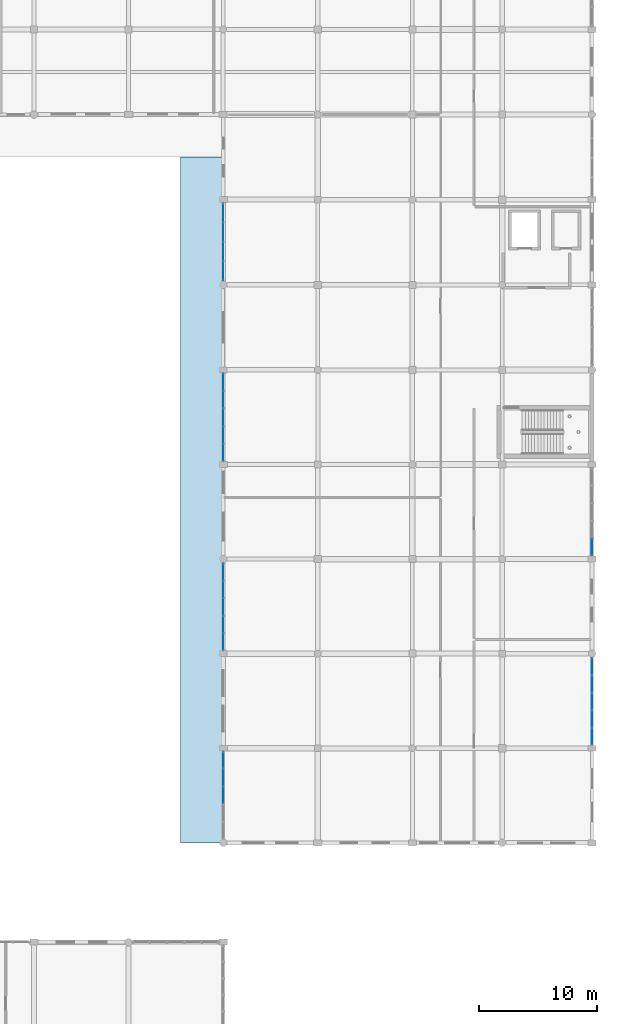
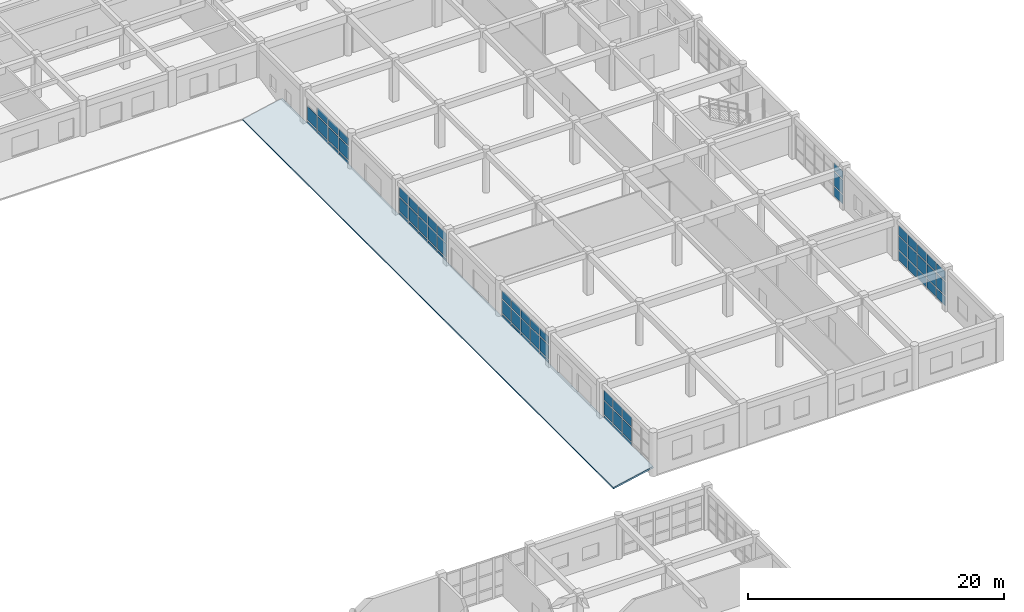
# One storey, part 98 of 121: 68 plates, 1 slab, 6 elements without a shape of their own.
"""IFC4 building model written with IfcOpenShell, lengths in metres."""

import ifcopenshell
import ifcopenshell.guid

model = None  # the IFC model being written
_history = None  # IfcOwnerHistory: only IFC2X3 demands one
_inside = {}  # id of a spatial element -> (the spatial element, [elements in it])
_under = {}  # id of a project, library or spatial element -> (it, [spatial elements below it])
_declared = {}  # id of a project -> (the project, [libraries it declares])
_typed = {}  # id of a type object -> (the type object, [elements of that type])
_made_of = {}  # id of a material, layer set ... -> (it, [elements and type objects made of it])


def new_model(schema):
    """Start an empty IFC model of exactly this schema.

    Asked for "IFC4X3", IfcOpenShell would pick the latest addendum, in which some entities
    have other attributes; the version numbers below select the first issue.
    IFC2X3 requires an IfcOwnerHistory on every rooted entity: one is made here for all.
    """
    global model, _history
    if schema == "IFC4X3":
        model = ifcopenshell.file(schema_version=(4, 3, 0, 0))
    else:
        model = ifcopenshell.file(schema=schema)
    _inside.clear()
    _under.clear()
    _declared.clear()
    _typed.clear()
    _made_of.clear()
    _history = None
    if model.schema == "IFC2X3":
        org = make("IfcOrganization", Name="unknown")
        user = make(
            "IfcPersonAndOrganization",
            ThePerson=make("IfcPerson", FamilyName="unknown"),
            TheOrganization=org,
        )
        app = make(
            "IfcApplication",
            ApplicationDeveloper=org,
            Version="unknown",
            ApplicationFullName="unknown",
            ApplicationIdentifier="unknown",
        )
        _history = make(
            "IfcOwnerHistory",
            OwningUser=user,
            OwningApplication=app,
            ChangeAction="ADDED",
            CreationDate=0,
        )
    return model


def make(cls, **values):
    """One entity of the class cls with the attributes given. An attribute that is None is left unset."""
    return model.create_entity(
        cls, **{name: value for name, value in values.items() if value is not None}
    )


def rooted(cls, **values):
    """An entity with a GlobalId (a new one), such as an element, a storey or a relation."""
    return make(cls, GlobalId=ifcopenshell.guid.new(), OwnerHistory=_history, **values)


def si_unit(unit_type, name, prefix=None):
    """IfcSIUnit, for example si_unit("LENGTHUNIT", "METRE", prefix="MILLI")."""
    return make("IfcSIUnit", UnitType=unit_type, Prefix=prefix, Name=name)


def assignment(units):
    """IfcUnitAssignment: the units of a project."""
    return None if units is None else make("IfcUnitAssignment", Units=units)


def point(xyz):
    """IfcCartesianPoint."""
    return None if xyz is None else make("IfcCartesianPoint", Coordinates=xyz)


def direction(xyz):
    """IfcDirection."""
    return None if xyz is None else make("IfcDirection", DirectionRatios=xyz)


def frame(location, z_axis=None, x_axis=None):
    """IfcAxis2Placement3D, a coordinate frame: its origin and axes. An axis left out is left unset."""
    return make(
        "IfcAxis2Placement3D",
        Location=point(location),
        Axis=direction(z_axis),
        RefDirection=direction(x_axis),
    )


def frame_2d(location, x_axis=None):
    """IfcAxis2Placement2D, a coordinate frame in the plane: its origin and x axis."""
    return make(
        "IfcAxis2Placement2D", Location=point(location), RefDirection=direction(x_axis)
    )


def origin():
    """The frame at (0, 0, 0) with its axes left unset."""
    return frame((0.0, 0.0, 0.0))


def origin_2d():
    """The frame at (0, 0) in the plane with its x axis left unset."""
    return frame_2d((0.0, 0.0))


def place(relative_to, where):
    """IfcLocalPlacement: puts the frame where relative to a parent placement (None: the world)."""
    return make(
        "IfcLocalPlacement", PlacementRelTo=relative_to, RelativePlacement=where
    )


def context(
    kind, dimensions, precision=None, world=None, true_north=None, identifier=None
):
    """IfcGeometricRepresentationContext, for example the 3D "Model" context."""
    return make(
        "IfcGeometricRepresentationContext",
        ContextIdentifier=identifier,
        ContextType=kind,
        CoordinateSpaceDimension=dimensions,
        Precision=precision,
        WorldCoordinateSystem=world,
        TrueNorth=true_north,
    )


def subcontext(parent, identifier, kind, view, scale=None):
    """IfcGeometricRepresentationSubContext, for example "Body" below "Model"."""
    return make(
        "IfcGeometricRepresentationSubContext",
        ContextIdentifier=identifier,
        ContextType=kind,
        ParentContext=parent,
        TargetScale=scale,
        TargetView=view,
    )


def project(units=None, contexts=None):
    """IfcProject with its units and contexts."""
    return rooted(
        "IfcProject",
        Name="project",
        RepresentationContexts=contexts,
        UnitsInContext=assignment(units),
    )


def spatial(cls, under=None, at=None, **own):
    """A site, building, storey or space (cls), placed at a placement, below another one or the project."""
    s = rooted(cls, ObjectPlacement=at, **own)
    if under is not None:
        _under.setdefault(under.id(), (under, []))[1].append(s)
    return s


def polyline(points):
    """IfcPolyline through the points."""
    return make("IfcPolyline", Points=[point(p) for p in points])


def profile(cls, at=None, kind="AREA", **sizes):
    """A parametric profile (cls). Its sizes go by their IFC names, for example OverallWidth=200.0."""
    return make(cls, ProfileType=kind, Position=at, **sizes)


def rectangle(**sizes):
    """IfcRectangleProfileDef."""
    return profile("IfcRectangleProfileDef", **sizes)


def outline(outer, holes=None, kind="AREA"):
    """IfcArbitraryClosedProfileDef: a profile drawn as a closed curve; with holes, ...WithVoids."""
    if holes is None:
        return make("IfcArbitraryClosedProfileDef", ProfileType=kind, OuterCurve=outer)
    return make(
        "IfcArbitraryProfileDefWithVoids",
        ProfileType=kind,
        OuterCurve=outer,
        InnerCurves=holes,
    )


def extrude(swept, where, along, depth):
    """IfcExtrudedAreaSolid: the profile swept, set in the frame where, extruded along a direction by depth."""
    return make(
        "IfcExtrudedAreaSolid",
        SweptArea=swept,
        Position=where,
        ExtrudedDirection=direction(along),
        Depth=depth,
    )


def shape(context_of_items, identifier, shape_type, items):
    """IfcShapeRepresentation: the items that make up one representation, for example the "Body"."""
    return make(
        "IfcShapeRepresentation",
        ContextOfItems=context_of_items,
        RepresentationIdentifier=identifier,
        RepresentationType=shape_type,
        Items=items,
    )


def material(Name=None, Category=None):
    """IfcMaterial."""
    return make("IfcMaterial", Name=Name, Category=Category)


def layer(
    of_material, thickness, ventilated=None, Name=None, Category=None, Priority=None
):
    """IfcMaterialLayer: one layer of a wall or slab, of a material (None: an air gap)."""
    return make(
        "IfcMaterialLayer",
        Material=of_material,
        LayerThickness=thickness,
        IsVentilated=ventilated,
        Name=Name,
        Category=Category,
        Priority=Priority,
    )


def layer_set(layers, Name=None):
    """IfcMaterialLayerSet."""
    return make("IfcMaterialLayerSet", MaterialLayers=layers, LayerSetName=Name)


def made_of(thing, what):
    """Note that an element or type object is made of a material, layer set ...; save() writes the relation."""
    if what is not None:
        _made_of.setdefault(what.id(), (what, []))[1].append(thing)
    return thing


def type_object(cls, material=None, **own):
    """A type object (cls), such as IfcWallType, which elements share."""
    return made_of(rooted(cls, **own), material)


def element(
    cls,
    number,
    at=None,
    inside=None,
    cuts=None,
    type_object=None,
    material=None,
    context=None,
    identifier="Body",
    shape_type=None,
    held_by="IfcProductDefinitionShape",
    body=None,
    shapes=None,
    **own,
):
    """One element of the class cls, such as IfcWall. Its Tag is "e" and its number.

    at: its placement. inside: the storey or other place that contains it. cuts: it is an
    opening in that element (IfcRelVoidsElement). A single representation is given by context,
    identifier, shape_type and body (its items); several are given by shapes. held_by: the class
    of the entity that holds the representations. save() writes the other relations.
    """
    e = rooted(cls, Tag="e%d" % number, ObjectPlacement=at, **own)
    if body is not None:
        shapes = [shape(context, identifier, shape_type, body)]
    if shapes is not None:
        e.Representation = make(held_by, Representations=shapes)
    if inside is not None:
        _inside.setdefault(inside.id(), (inside, []))[1].append(e)
    if cuts is not None:
        rooted(
            "IfcRelVoidsElement", RelatingBuildingElement=cuts, RelatedOpeningElement=e
        )
    if type_object is not None:
        _typed.setdefault(type_object.id(), (type_object, []))[1].append(e)
    return made_of(e, material)


def aggregate(whole, parts):
    """IfcRelAggregates: a whole, such as a stair, and the parts it consists of."""
    return rooted("IfcRelAggregates", RelatingObject=whole, RelatedObjects=parts)


def save(model, path):
    """Write the relations noted so far, then the file.

    IfcRelAggregates (storeys below a building ...), IfcRelContainedInSpatialStructure (elements
    in a storey), IfcRelDefinesByType, IfcRelAssociatesMaterial and IfcRelDeclares: one each for
    every whole, place, type object, material and project.
    """
    for whole, parts in _under.values():
        aggregate(whole, parts)
    for where, things in _inside.values():
        rooted(
            "IfcRelContainedInSpatialStructure",
            RelatedElements=things,
            RelatingStructure=where,
        )
    for kind, things in _typed.values():
        rooted("IfcRelDefinesByType", RelatedObjects=things, RelatingType=kind)
    for what, things in _made_of.values():
        rooted("IfcRelAssociatesMaterial", RelatedObjects=things, RelatingMaterial=what)
    for by, libraries in _declared.values():
        rooted("IfcRelDeclares", RelatingContext=by, RelatedDefinitions=libraries)
    model.write(path)


model = new_model("IFC4")

# Units and contexts
model_context = context("Model", 3, precision=1e-05, world=origin(), true_north=direction((0.0, 1.0)))
body_context = subcontext(model_context, "Body", "Model", "MODEL_VIEW")
ifc_project = project(units=[si_unit("LENGTHUNIT", "METRE"), si_unit("AREAUNIT", "SQUARE_METRE"), si_unit("VOLUMEUNIT", "CUBIC_METRE"), si_unit("PLANEANGLEUNIT", "RADIAN"), si_unit("MASSUNIT", "GRAM", prefix="KILO")], contexts=[model_context])

# Site, building, storey
site_placement = place(None, origin())
site = spatial("IfcSite", under=ifc_project, at=site_placement, CompositionType="ELEMENT")
building_placement = place(site_placement, origin())
building = spatial("IfcBuilding", under=site, at=building_placement, Name="Kharva Crest Polytechnic", CompositionType="ELEMENT")
storey_placement = place(building_placement, frame((0.0, 0.0, 13.199951171875)))
storey = spatial("IfcBuildingStorey", under=building, at=storey_placement, Name="L03", CompositionType="ELEMENT", Elevation=13.199951171875)

# Curtain wall, plates
ifc_material_1 = material(Name="Tempered insulated glass", Category="glass")
curtain_wall_type = type_object("IfcCurtainWallType", Name="CW-SYS-COURT", PredefinedType="USERDEFINED", material=ifc_material_1)
curtain_wall_1_placement = place(storey_placement, origin())
curtain_wall_1 = element("IfcCurtainWall", 1, at=curtain_wall_1_placement, inside=storey, type_object=curtain_wall_type, Name="L03 Glazed Curtain Wall CW-145", ObjectType="CURTAIN WALL", PredefinedType="USERDEFINED")
ifc_layer_1 = layer(ifc_material_1, 0.02392578125, Name="Tempered insulated glass")
ifc_layer_set_1 = layer_set([ifc_layer_1], Name="Tempered insulated glass")
plate_type = type_object("IfcPlateType", Name="CWP-GLZ-24", PredefinedType="CURTAIN_PANEL", material=ifc_layer_set_1)
plate_1_placement = place(storey_placement, frame((152.800048828125, 92.097412109375, 0.119873046875), z_axis=(0.0, 0.0, 1.0), x_axis=(0.0, -1.0, 0.0)))
plate_1 = element("IfcPlate", 2, at=plate_1_placement, type_object=plate_type, Name="CW-145 panel 1.1", PredefinedType="CURTAIN_PANEL", context=body_context, shape_type="SweptSolid", body=[
    extrude(rectangle(XDim=1.534912109375, YDim=0.02392578125, at=origin_2d()), origin(), (0.0, 0.0, 1.0), 0.8701171875),
])
plate_2_placement = place(storey_placement, frame((152.800048828125, 92.097412109375, 1.10986328125), z_axis=(0.0, 0.0, 1.0), x_axis=(0.0, -1.0, 0.0)))
plate_2 = element("IfcPlate", 3, at=plate_2_placement, type_object=plate_type, Name="CW-145 panel 1.2", PredefinedType="CURTAIN_PANEL", context=body_context, shape_type="SweptSolid", body=[
    extrude(rectangle(XDim=1.534912109375, YDim=0.02392578125, at=origin_2d()), origin(), (0.0, 0.0, 1.0), 1.280029296875),
])
plate_3_placement = place(storey_placement, frame((152.800048828125, 90.46240234375, 0.119873046875), z_axis=(0.0, 0.0, 1.0), x_axis=(0.0, -1.0, 0.0)))
plate_3 = element("IfcPlate", 4, at=plate_3_placement, type_object=plate_type, Name="CW-145 panel 2.1", PredefinedType="CURTAIN_PANEL", context=body_context, shape_type="SweptSolid", body=[
    extrude(rectangle(XDim=1.574951171875, YDim=0.02392578125, at=origin_2d()), origin(), (0.0, 0.0, 1.0), 0.8701171875),
])
plate_4_placement = place(storey_placement, frame((152.800048828125, 90.46240234375, 1.10986328125), z_axis=(0.0, 0.0, 1.0), x_axis=(0.0, -1.0, 0.0)))
plate_4 = element("IfcPlate", 5, at=plate_4_placement, type_object=plate_type, Name="CW-145 panel 2.2", PredefinedType="CURTAIN_PANEL", context=body_context, shape_type="SweptSolid", body=[
    extrude(rectangle(XDim=1.574951171875, YDim=0.02392578125, at=origin_2d()), origin(), (0.0, 0.0, 1.0), 1.280029296875),
])
plate_5_placement = place(storey_placement, frame((152.800048828125, 90.46240234375, 2.510009765625), z_axis=(0.0, 0.0, 1.0), x_axis=(0.0, -1.0, 0.0)))
plate_5 = element("IfcPlate", 6, at=plate_5_placement, type_object=plate_type, Name="CW-145 panel 2.3", PredefinedType="CURTAIN_PANEL", context=body_context, shape_type="SweptSolid", body=[
    extrude(rectangle(XDim=1.574951171875, YDim=0.02392578125, at=origin_2d()), origin(), (0.0, 0.0, 1.0), 0.7099609375),
])
plate_6_placement = place(storey_placement, frame((152.800048828125, 88.8076171875, 0.119873046875), z_axis=(0.0, 0.0, 1.0), x_axis=(0.0, -1.0, 0.0)))
plate_6 = element("IfcPlate", 7, at=plate_6_placement, type_object=plate_type, Name="CW-145 panel 3.1", PredefinedType="CURTAIN_PANEL", context=body_context, shape_type="SweptSolid", body=[
    extrude(rectangle(XDim=1.574951171875, YDim=0.02392578125, at=origin_2d()), origin(), (0.0, 0.0, 1.0), 0.8701171875),
])
plate_7_placement = place(storey_placement, frame((152.800048828125, 88.8076171875, 1.10986328125), z_axis=(0.0, 0.0, 1.0), x_axis=(0.0, -1.0, 0.0)))
plate_7 = element("IfcPlate", 8, at=plate_7_placement, type_object=plate_type, Name="CW-145 panel 3.2", PredefinedType="CURTAIN_PANEL", context=body_context, shape_type="SweptSolid", body=[
    extrude(rectangle(XDim=1.574951171875, YDim=0.02392578125, at=origin_2d()), origin(), (0.0, 0.0, 1.0), 1.280029296875),
])
plate_8_placement = place(storey_placement, frame((152.800048828125, 88.8076171875, 2.510009765625), z_axis=(0.0, 0.0, 1.0), x_axis=(0.0, -1.0, 0.0)))
plate_8 = element("IfcPlate", 9, at=plate_8_placement, type_object=plate_type, Name="CW-145 panel 3.3", PredefinedType="CURTAIN_PANEL", context=body_context, shape_type="SweptSolid", body=[
    extrude(rectangle(XDim=1.574951171875, YDim=0.02392578125, at=origin_2d()), origin(), (0.0, 0.0, 1.0), 0.7099609375),
])
plate_9_placement = place(storey_placement, frame((152.800048828125, 87.172607421875, 0.119873046875), z_axis=(0.0, 0.0, 1.0), x_axis=(0.0, -1.0, 0.0)))
plate_9 = element("IfcPlate", 10, at=plate_9_placement, type_object=plate_type, Name="CW-145 panel 4.1", PredefinedType="CURTAIN_PANEL", context=body_context, shape_type="SweptSolid", body=[
    extrude(rectangle(XDim=1.534912109375, YDim=0.02392578125, at=origin_2d()), origin(), (0.0, 0.0, 1.0), 0.8701171875),
])
plate_10_placement = place(storey_placement, frame((152.800048828125, 87.172607421875, 1.10986328125), z_axis=(0.0, 0.0, 1.0), x_axis=(0.0, -1.0, 0.0)))
plate_10 = element("IfcPlate", 11, at=plate_10_placement, type_object=plate_type, Name="CW-145 panel 4.2", PredefinedType="CURTAIN_PANEL", context=body_context, shape_type="SweptSolid", body=[
    extrude(rectangle(XDim=1.534912109375, YDim=0.02392578125, at=origin_2d()), origin(), (0.0, 0.0, 1.0), 1.280029296875),
])
plate_11_placement = place(storey_placement, frame((152.800048828125, 87.172607421875, 2.510009765625), z_axis=(0.0, 0.0, 1.0), x_axis=(0.0, -1.0, 0.0)))
plate_11 = element("IfcPlate", 12, at=plate_11_placement, type_object=plate_type, Name="CW-145 panel 4.3", PredefinedType="CURTAIN_PANEL", context=body_context, shape_type="SweptSolid", body=[
    extrude(rectangle(XDim=1.534912109375, YDim=0.02392578125, at=origin_2d()), origin(), (0.0, 0.0, 1.0), 0.7099609375),
])
aggregate(curtain_wall_1, [plate_1, plate_2, plate_3, plate_4, plate_5, plate_6, plate_7, plate_8, plate_9, plate_10, plate_11])

curtain_wall_2_placement = place(storey_placement, origin())
curtain_wall_2 = element("IfcCurtainWall", 13, at=curtain_wall_2_placement, inside=storey, type_object=curtain_wall_type, Name="L03 Glazed Curtain Wall CW-146", ObjectType="CURTAIN WALL", PredefinedType="USERDEFINED")
plate_12_placement = place(storey_placement, frame((152.800048828125, 77.77587890625, 0.119873046875), z_axis=(0.0, 0.0, 1.0), x_axis=(0.0, -1.0, 0.0)))
plate_12 = element("IfcPlate", 14, at=plate_12_placement, type_object=plate_type, Name="CW-146 panel 1.1", PredefinedType="CURTAIN_PANEL", context=body_context, shape_type="SweptSolid", body=[
    extrude(rectangle(XDim=1.3779296875, YDim=0.02392578125, at=origin_2d()), origin(), (0.0, 0.0, 1.0), 0.8701171875),
])
plate_13_placement = place(storey_placement, frame((152.800048828125, 77.77587890625, 1.10986328125), z_axis=(0.0, 0.0, 1.0), x_axis=(0.0, -1.0, 0.0)))
plate_13 = element("IfcPlate", 15, at=plate_13_placement, type_object=plate_type, Name="CW-146 panel 1.2", PredefinedType="CURTAIN_PANEL", context=body_context, shape_type="SweptSolid", body=[
    extrude(rectangle(XDim=1.3779296875, YDim=0.02392578125, at=origin_2d()), origin(), (0.0, 0.0, 1.0), 1.280029296875),
])
plate_14_placement = place(storey_placement, frame((152.800048828125, 77.77587890625, 2.510009765625), z_axis=(0.0, 0.0, 1.0), x_axis=(0.0, -1.0, 0.0)))
plate_14 = element("IfcPlate", 16, at=plate_14_placement, type_object=plate_type, Name="CW-146 panel 1.3", PredefinedType="CURTAIN_PANEL", context=body_context, shape_type="SweptSolid", body=[
    extrude(rectangle(XDim=1.3779296875, YDim=0.02392578125, at=origin_2d()), origin(), (0.0, 0.0, 1.0), 0.8701171875),
])
plate_15_placement = place(storey_placement, frame((152.800048828125, 76.298095703125, 0.119873046875), z_axis=(0.0, 0.0, 1.0), x_axis=(0.0, -1.0, 0.0)))
plate_15 = element("IfcPlate", 17, at=plate_15_placement, type_object=plate_type, Name="CW-146 panel 2.1", PredefinedType="CURTAIN_PANEL", context=body_context, shape_type="SweptSolid", body=[
    extrude(rectangle(XDim=1.41796875, YDim=0.02392578125, at=origin_2d()), origin(), (0.0, 0.0, 1.0), 0.8701171875),
])
plate_16_placement = place(storey_placement, frame((152.800048828125, 76.298095703125, 1.10986328125), z_axis=(0.0, 0.0, 1.0), x_axis=(0.0, -1.0, 0.0)))
plate_16 = element("IfcPlate", 18, at=plate_16_placement, type_object=plate_type, Name="CW-146 panel 2.2", PredefinedType="CURTAIN_PANEL", context=body_context, shape_type="SweptSolid", body=[
    extrude(rectangle(XDim=1.41796875, YDim=0.02392578125, at=origin_2d()), origin(), (0.0, 0.0, 1.0), 1.280029296875),
])
plate_17_placement = place(storey_placement, frame((152.800048828125, 76.298095703125, 2.510009765625), z_axis=(0.0, 0.0, 1.0), x_axis=(0.0, -1.0, 0.0)))
plate_17 = element("IfcPlate", 19, at=plate_17_placement, type_object=plate_type, Name="CW-146 panel 2.3", PredefinedType="CURTAIN_PANEL", context=body_context, shape_type="SweptSolid", body=[
    extrude(rectangle(XDim=1.41796875, YDim=0.02392578125, at=origin_2d()), origin(), (0.0, 0.0, 1.0), 0.8701171875),
])
plate_18_placement = place(storey_placement, frame((152.800048828125, 74.800048828125, 0.119873046875), z_axis=(0.0, 0.0, 1.0), x_axis=(0.0, -1.0, 0.0)))
plate_18 = element("IfcPlate", 20, at=plate_18_placement, type_object=plate_type, Name="CW-146 panel 3.1", PredefinedType="CURTAIN_PANEL", context=body_context, shape_type="SweptSolid", body=[
    extrude(rectangle(XDim=1.41796875, YDim=0.02392578125, at=origin_2d()), origin(), (0.0, 0.0, 1.0), 0.8701171875),
])
plate_19_placement = place(storey_placement, frame((152.800048828125, 74.800048828125, 1.10986328125), z_axis=(0.0, 0.0, 1.0), x_axis=(0.0, -1.0, 0.0)))
plate_19 = element("IfcPlate", 21, at=plate_19_placement, type_object=plate_type, Name="CW-146 panel 3.2", PredefinedType="CURTAIN_PANEL", context=body_context, shape_type="SweptSolid", body=[
    extrude(rectangle(XDim=1.41796875, YDim=0.02392578125, at=origin_2d()), origin(), (0.0, 0.0, 1.0), 1.280029296875),
])
plate_20_placement = place(storey_placement, frame((152.800048828125, 74.800048828125, 2.510009765625), z_axis=(0.0, 0.0, 1.0), x_axis=(0.0, -1.0, 0.0)))
plate_20 = element("IfcPlate", 22, at=plate_20_placement, type_object=plate_type, Name="CW-146 panel 3.3", PredefinedType="CURTAIN_PANEL", context=body_context, shape_type="SweptSolid", body=[
    extrude(rectangle(XDim=1.41796875, YDim=0.02392578125, at=origin_2d()), origin(), (0.0, 0.0, 1.0), 0.8701171875),
])
plate_21_placement = place(storey_placement, frame((152.800048828125, 73.302001953125, 0.119873046875), z_axis=(0.0, 0.0, 1.0), x_axis=(0.0, -1.0, 0.0)))
plate_21 = element("IfcPlate", 23, at=plate_21_placement, type_object=plate_type, Name="CW-146 panel 4.1", PredefinedType="CURTAIN_PANEL", context=body_context, shape_type="SweptSolid", body=[
    extrude(rectangle(XDim=1.41796875, YDim=0.02392578125, at=origin_2d()), origin(), (0.0, 0.0, 1.0), 0.8701171875),
])
plate_22_placement = place(storey_placement, frame((152.800048828125, 73.302001953125, 1.10986328125), z_axis=(0.0, 0.0, 1.0), x_axis=(0.0, -1.0, 0.0)))
plate_22 = element("IfcPlate", 24, at=plate_22_placement, type_object=plate_type, Name="CW-146 panel 4.2", PredefinedType="CURTAIN_PANEL", context=body_context, shape_type="SweptSolid", body=[
    extrude(rectangle(XDim=1.41796875, YDim=0.02392578125, at=origin_2d()), origin(), (0.0, 0.0, 1.0), 1.280029296875),
])
plate_23_placement = place(storey_placement, frame((152.800048828125, 73.302001953125, 2.510009765625), z_axis=(0.0, 0.0, 1.0), x_axis=(0.0, -1.0, 0.0)))
plate_23 = element("IfcPlate", 25, at=plate_23_placement, type_object=plate_type, Name="CW-146 panel 4.3", PredefinedType="CURTAIN_PANEL", context=body_context, shape_type="SweptSolid", body=[
    extrude(rectangle(XDim=1.41796875, YDim=0.02392578125, at=origin_2d()), origin(), (0.0, 0.0, 1.0), 0.8701171875),
])
plate_24_placement = place(storey_placement, frame((152.800048828125, 71.823974609375, 0.119873046875), z_axis=(0.0, 0.0, 1.0), x_axis=(0.0, -1.0, 0.0)))
plate_24 = element("IfcPlate", 26, at=plate_24_placement, type_object=plate_type, Name="CW-146 panel 5.1", PredefinedType="CURTAIN_PANEL", context=body_context, shape_type="SweptSolid", body=[
    extrude(rectangle(XDim=1.3779296875, YDim=0.02392578125, at=origin_2d()), origin(), (0.0, 0.0, 1.0), 0.8701171875),
])
plate_25_placement = place(storey_placement, frame((152.800048828125, 71.823974609375, 1.10986328125), z_axis=(0.0, 0.0, 1.0), x_axis=(0.0, -1.0, 0.0)))
plate_25 = element("IfcPlate", 27, at=plate_25_placement, type_object=plate_type, Name="CW-146 panel 5.2", PredefinedType="CURTAIN_PANEL", context=body_context, shape_type="SweptSolid", body=[
    extrude(rectangle(XDim=1.3779296875, YDim=0.02392578125, at=origin_2d()), origin(), (0.0, 0.0, 1.0), 1.280029296875),
])
plate_26_placement = place(storey_placement, frame((152.800048828125, 71.823974609375, 2.510009765625), z_axis=(0.0, 0.0, 1.0), x_axis=(0.0, -1.0, 0.0)))
plate_26 = element("IfcPlate", 28, at=plate_26_placement, type_object=plate_type, Name="CW-146 panel 5.3", PredefinedType="CURTAIN_PANEL", context=body_context, shape_type="SweptSolid", body=[
    extrude(rectangle(XDim=1.3779296875, YDim=0.02392578125, at=origin_2d()), origin(), (0.0, 0.0, 1.0), 0.8701171875),
])
aggregate(curtain_wall_2, [plate_12, plate_13, plate_14, plate_15, plate_16, plate_17, plate_18, plate_19, plate_20, plate_21, plate_22, plate_23, plate_24, plate_25, plate_26])

curtain_wall_3_placement = place(storey_placement, origin())
curtain_wall_3 = element("IfcCurtainWall", 29, at=curtain_wall_3_placement, inside=storey, type_object=curtain_wall_type, Name="L03 Glazed Curtain Wall CW-147", ObjectType="CURTAIN WALL", PredefinedType="USERDEFINED")
plate_27_placement = place(storey_placement, frame((152.800048828125, 61.712890625, 0.119873046875), z_axis=(0.0, 0.0, 1.0), x_axis=(0.0, -1.0, 0.0)))
plate_27 = element("IfcPlate", 30, at=plate_27_placement, type_object=plate_type, Name="CW-147 panel 1.1", PredefinedType="CURTAIN_PANEL", context=body_context, shape_type="SweptSolid", body=[
    extrude(rectangle(XDim=1.364013671875, YDim=0.02392578125, at=origin_2d()), origin(), (0.0, 0.0, 1.0), 0.8701171875),
])
plate_28_placement = place(storey_placement, frame((152.800048828125, 61.712890625, 1.10986328125), z_axis=(0.0, 0.0, 1.0), x_axis=(0.0, -1.0, 0.0)))
plate_28 = element("IfcPlate", 31, at=plate_28_placement, type_object=plate_type, Name="CW-147 panel 1.2", PredefinedType="CURTAIN_PANEL", context=body_context, shape_type="SweptSolid", body=[
    extrude(rectangle(XDim=1.364013671875, YDim=0.02392578125, at=origin_2d()), origin(), (0.0, 0.0, 1.0), 1.280029296875),
])
plate_29_placement = place(storey_placement, frame((152.800048828125, 61.712890625, 2.510009765625), z_axis=(0.0, 0.0, 1.0), x_axis=(0.0, -1.0, 0.0)))
plate_29 = element("IfcPlate", 32, at=plate_29_placement, type_object=plate_type, Name="CW-147 panel 1.3", PredefinedType="CURTAIN_PANEL", context=body_context, shape_type="SweptSolid", body=[
    extrude(rectangle(XDim=1.364013671875, YDim=0.02392578125, at=origin_2d()), origin(), (0.0, 0.0, 1.0), 0.75),
])
plate_30_placement = place(storey_placement, frame((152.800048828125, 60.2490234375, 0.119873046875), z_axis=(0.0, 0.0, 1.0), x_axis=(0.0, -1.0, 0.0)))
plate_30 = element("IfcPlate", 33, at=plate_30_placement, type_object=plate_type, Name="CW-147 panel 2.1", PredefinedType="CURTAIN_PANEL", context=body_context, shape_type="SweptSolid", body=[
    extrude(rectangle(XDim=1.404052734375, YDim=0.02392578125, at=origin_2d()), origin(), (0.0, 0.0, 1.0), 0.8701171875),
])
plate_31_placement = place(storey_placement, frame((152.800048828125, 60.2490234375, 1.10986328125), z_axis=(0.0, 0.0, 1.0), x_axis=(0.0, -1.0, 0.0)))
plate_31 = element("IfcPlate", 34, at=plate_31_placement, type_object=plate_type, Name="CW-147 panel 2.2", PredefinedType="CURTAIN_PANEL", context=body_context, shape_type="SweptSolid", body=[
    extrude(rectangle(XDim=1.404052734375, YDim=0.02392578125, at=origin_2d()), origin(), (0.0, 0.0, 1.0), 1.280029296875),
])
plate_32_placement = place(storey_placement, frame((152.800048828125, 60.2490234375, 2.510009765625), z_axis=(0.0, 0.0, 1.0), x_axis=(0.0, -1.0, 0.0)))
plate_32 = element("IfcPlate", 35, at=plate_32_placement, type_object=plate_type, Name="CW-147 panel 2.3", PredefinedType="CURTAIN_PANEL", context=body_context, shape_type="SweptSolid", body=[
    extrude(rectangle(XDim=1.404052734375, YDim=0.02392578125, at=origin_2d()), origin(), (0.0, 0.0, 1.0), 0.75),
])
plate_33_placement = place(storey_placement, frame((152.800048828125, 58.764892578125, 0.119873046875), z_axis=(0.0, 0.0, 1.0), x_axis=(0.0, -1.0, 0.0)))
plate_33 = element("IfcPlate", 36, at=plate_33_placement, type_object=plate_type, Name="CW-147 panel 3.1", PredefinedType="CURTAIN_PANEL", context=body_context, shape_type="SweptSolid", body=[
    extrude(rectangle(XDim=1.404052734375, YDim=0.02392578125, at=origin_2d()), origin(), (0.0, 0.0, 1.0), 0.8701171875),
])
plate_34_placement = place(storey_placement, frame((152.800048828125, 58.764892578125, 1.10986328125), z_axis=(0.0, 0.0, 1.0), x_axis=(0.0, -1.0, 0.0)))
plate_34 = element("IfcPlate", 37, at=plate_34_placement, type_object=plate_type, Name="CW-147 panel 3.2", PredefinedType="CURTAIN_PANEL", context=body_context, shape_type="SweptSolid", body=[
    extrude(rectangle(XDim=1.404052734375, YDim=0.02392578125, at=origin_2d()), origin(), (0.0, 0.0, 1.0), 1.280029296875),
])
plate_35_placement = place(storey_placement, frame((152.800048828125, 58.764892578125, 2.510009765625), z_axis=(0.0, 0.0, 1.0), x_axis=(0.0, -1.0, 0.0)))
plate_35 = element("IfcPlate", 38, at=plate_35_placement, type_object=plate_type, Name="CW-147 panel 3.3", PredefinedType="CURTAIN_PANEL", context=body_context, shape_type="SweptSolid", body=[
    extrude(rectangle(XDim=1.404052734375, YDim=0.02392578125, at=origin_2d()), origin(), (0.0, 0.0, 1.0), 0.75),
])
plate_36_placement = place(storey_placement, frame((152.800048828125, 57.281005859375, 0.119873046875), z_axis=(0.0, 0.0, 1.0), x_axis=(0.0, -1.0, 0.0)))
plate_36 = element("IfcPlate", 39, at=plate_36_placement, type_object=plate_type, Name="CW-147 panel 4.1", PredefinedType="CURTAIN_PANEL", context=body_context, shape_type="SweptSolid", body=[
    extrude(rectangle(XDim=1.404052734375, YDim=0.02392578125, at=origin_2d()), origin(), (0.0, 0.0, 1.0), 0.8701171875),
])
plate_37_placement = place(storey_placement, frame((152.800048828125, 57.281005859375, 1.10986328125), z_axis=(0.0, 0.0, 1.0), x_axis=(0.0, -1.0, 0.0)))
plate_37 = element("IfcPlate", 40, at=plate_37_placement, type_object=plate_type, Name="CW-147 panel 4.2", PredefinedType="CURTAIN_PANEL", context=body_context, shape_type="SweptSolid", body=[
    extrude(rectangle(XDim=1.404052734375, YDim=0.02392578125, at=origin_2d()), origin(), (0.0, 0.0, 1.0), 1.280029296875),
])
plate_38_placement = place(storey_placement, frame((152.800048828125, 57.281005859375, 2.510009765625), z_axis=(0.0, 0.0, 1.0), x_axis=(0.0, -1.0, 0.0)))
plate_38 = element("IfcPlate", 41, at=plate_38_placement, type_object=plate_type, Name="CW-147 panel 4.3", PredefinedType="CURTAIN_PANEL", context=body_context, shape_type="SweptSolid", body=[
    extrude(rectangle(XDim=1.404052734375, YDim=0.02392578125, at=origin_2d()), origin(), (0.0, 0.0, 1.0), 0.75),
])
plate_39_placement = place(storey_placement, frame((152.800048828125, 55.81689453125, 0.119873046875), z_axis=(0.0, 0.0, 1.0), x_axis=(0.0, -1.0, 0.0)))
plate_39 = element("IfcPlate", 42, at=plate_39_placement, type_object=plate_type, Name="CW-147 panel 5.1", PredefinedType="CURTAIN_PANEL", context=body_context, shape_type="SweptSolid", body=[
    extrude(rectangle(XDim=1.364013671875, YDim=0.02392578125, at=origin_2d()), origin(), (0.0, 0.0, 1.0), 0.8701171875),
])
plate_40_placement = place(storey_placement, frame((152.800048828125, 55.81689453125, 1.10986328125), z_axis=(0.0, 0.0, 1.0), x_axis=(0.0, -1.0, 0.0)))
plate_40 = element("IfcPlate", 43, at=plate_40_placement, type_object=plate_type, Name="CW-147 panel 5.2", PredefinedType="CURTAIN_PANEL", context=body_context, shape_type="SweptSolid", body=[
    extrude(rectangle(XDim=1.364013671875, YDim=0.02392578125, at=origin_2d()), origin(), (0.0, 0.0, 1.0), 1.280029296875),
])
plate_41_placement = place(storey_placement, frame((152.800048828125, 55.81689453125, 2.510009765625), z_axis=(0.0, 0.0, 1.0), x_axis=(0.0, -1.0, 0.0)))
plate_41 = element("IfcPlate", 44, at=plate_41_placement, type_object=plate_type, Name="CW-147 panel 5.3", PredefinedType="CURTAIN_PANEL", context=body_context, shape_type="SweptSolid", body=[
    extrude(rectangle(XDim=1.364013671875, YDim=0.02392578125, at=origin_2d()), origin(), (0.0, 0.0, 1.0), 0.75),
])
aggregate(curtain_wall_3, [plate_27, plate_28, plate_29, plate_30, plate_31, plate_32, plate_33, plate_34, plate_35, plate_36, plate_37, plate_38, plate_39, plate_40, plate_41])

curtain_wall_4_placement = place(storey_placement, origin())
curtain_wall_4 = element("IfcCurtainWall", 45, at=curtain_wall_4_placement, inside=storey, type_object=curtain_wall_type, Name="L03 Glazed Curtain Wall CW-148", ObjectType="CURTAIN WALL", PredefinedType="USERDEFINED")
plate_42_placement = place(storey_placement, frame((152.800048828125, 45.782958984375, 0.119873046875), z_axis=(0.0, 0.0, 1.0), x_axis=(0.0, -1.0, 0.0)))
plate_42 = element("IfcPlate", 46, at=plate_42_placement, type_object=plate_type, Name="CW-148 panel 1.1", PredefinedType="CURTAIN_PANEL", context=body_context, shape_type="SweptSolid", body=[
    extrude(rectangle(XDim=1.364013671875, YDim=0.02392578125, at=origin_2d()), origin(), (0.0, 0.0, 1.0), 0.8701171875),
])
plate_43_placement = place(storey_placement, frame((152.800048828125, 45.782958984375, 1.10986328125), z_axis=(0.0, 0.0, 1.0), x_axis=(0.0, -1.0, 0.0)))
plate_43 = element("IfcPlate", 47, at=plate_43_placement, type_object=plate_type, Name="CW-148 panel 1.2", PredefinedType="CURTAIN_PANEL", context=body_context, shape_type="SweptSolid", body=[
    extrude(rectangle(XDim=1.364013671875, YDim=0.02392578125, at=origin_2d()), origin(), (0.0, 0.0, 1.0), 1.280029296875),
])
plate_44_placement = place(storey_placement, frame((152.800048828125, 45.782958984375, 2.51025390625), z_axis=(0.0, 0.0, 1.0), x_axis=(0.0, -1.0, 0.0)))
plate_44 = element("IfcPlate", 48, at=plate_44_placement, type_object=plate_type, Name="CW-148 panel 1.3", PredefinedType="CURTAIN_PANEL", context=body_context, shape_type="SweptSolid", body=[
    extrude(rectangle(XDim=1.364013671875, YDim=0.02392578125, at=origin_2d()), origin(), (0.0, 0.0, 1.0), 0.889892578125),
])
plate_45_placement = place(storey_placement, frame((152.800048828125, 44.319091796875, 0.119873046875), z_axis=(0.0, 0.0, 1.0), x_axis=(0.0, -1.0, 0.0)))
plate_45 = element("IfcPlate", 49, at=plate_45_placement, type_object=plate_type, Name="CW-148 panel 2.1", PredefinedType="CURTAIN_PANEL", context=body_context, shape_type="SweptSolid", body=[
    extrude(rectangle(XDim=1.404052734375, YDim=0.02392578125, at=origin_2d()), origin(), (0.0, 0.0, 1.0), 0.8701171875),
])
plate_46_placement = place(storey_placement, frame((152.800048828125, 44.319091796875, 1.10986328125), z_axis=(0.0, 0.0, 1.0), x_axis=(0.0, -1.0, 0.0)))
plate_46 = element("IfcPlate", 50, at=plate_46_placement, type_object=plate_type, Name="CW-148 panel 2.2", PredefinedType="CURTAIN_PANEL", context=body_context, shape_type="SweptSolid", body=[
    extrude(rectangle(XDim=1.404052734375, YDim=0.02392578125, at=origin_2d()), origin(), (0.0, 0.0, 1.0), 1.280029296875),
])
plate_47_placement = place(storey_placement, frame((152.800048828125, 44.319091796875, 2.51025390625), z_axis=(0.0, 0.0, 1.0), x_axis=(0.0, -1.0, 0.0)))
plate_47 = element("IfcPlate", 51, at=plate_47_placement, type_object=plate_type, Name="CW-148 panel 2.3", PredefinedType="CURTAIN_PANEL", context=body_context, shape_type="SweptSolid", body=[
    extrude(rectangle(XDim=1.404052734375, YDim=0.02392578125, at=origin_2d()), origin(), (0.0, 0.0, 1.0), 0.889892578125),
])
plate_48_placement = place(storey_placement, frame((152.800048828125, 42.8349609375, 0.119873046875), z_axis=(0.0, 0.0, 1.0), x_axis=(0.0, -1.0, 0.0)))
plate_48 = element("IfcPlate", 52, at=plate_48_placement, type_object=plate_type, Name="CW-148 panel 3.1", PredefinedType="CURTAIN_PANEL", context=body_context, shape_type="SweptSolid", body=[
    extrude(rectangle(XDim=1.404052734375, YDim=0.02392578125, at=origin_2d()), origin(), (0.0, 0.0, 1.0), 0.8701171875),
])
plate_49_placement = place(storey_placement, frame((152.800048828125, 42.8349609375, 1.10986328125), z_axis=(0.0, 0.0, 1.0), x_axis=(0.0, -1.0, 0.0)))
plate_49 = element("IfcPlate", 53, at=plate_49_placement, type_object=plate_type, Name="CW-148 panel 3.2", PredefinedType="CURTAIN_PANEL", context=body_context, shape_type="SweptSolid", body=[
    extrude(rectangle(XDim=1.404052734375, YDim=0.02392578125, at=origin_2d()), origin(), (0.0, 0.0, 1.0), 1.280029296875),
])
plate_50_placement = place(storey_placement, frame((152.800048828125, 42.8349609375, 2.51025390625), z_axis=(0.0, 0.0, 1.0), x_axis=(0.0, -1.0, 0.0)))
plate_50 = element("IfcPlate", 54, at=plate_50_placement, type_object=plate_type, Name="CW-148 panel 3.3", PredefinedType="CURTAIN_PANEL", context=body_context, shape_type="SweptSolid", body=[
    extrude(rectangle(XDim=1.404052734375, YDim=0.02392578125, at=origin_2d()), origin(), (0.0, 0.0, 1.0), 0.889892578125),
])
aggregate(curtain_wall_4, [plate_42, plate_43, plate_44, plate_45, plate_46, plate_47, plate_48, plate_49, plate_50])

curtain_wall_5_placement = place(storey_placement, origin())
curtain_wall_5 = element("IfcCurtainWall", 55, at=curtain_wall_5_placement, inside=storey, type_object=curtain_wall_type, Name="L03 Glazed Curtain Wall CW-149", ObjectType="CURTAIN WALL", PredefinedType="USERDEFINED")
plate_51_placement = place(storey_placement, frame((184.0, 47.81689453125, 0.119873046875), z_axis=(0.0, 0.0, 1.0), x_axis=(0.0, 1.0, 0.0)))
plate_51 = element("IfcPlate", 56, at=plate_51_placement, type_object=plate_type, Name="CW-149 panel 1.1", PredefinedType="CURTAIN_PANEL", context=body_context, shape_type="SweptSolid", body=[
    extrude(rectangle(XDim=1.364013671875, YDim=0.02392578125, at=origin_2d()), origin(), (0.0, 0.0, 1.0), 0.8701171875),
])
plate_52_placement = place(storey_placement, frame((184.0, 47.81689453125, 1.10986328125), z_axis=(0.0, 0.0, 1.0), x_axis=(0.0, 1.0, 0.0)))
plate_52 = element("IfcPlate", 57, at=plate_52_placement, type_object=plate_type, Name="CW-149 panel 1.2", PredefinedType="CURTAIN_PANEL", context=body_context, shape_type="SweptSolid", body=[
    extrude(rectangle(XDim=1.364013671875, YDim=0.02392578125, at=origin_2d()), origin(), (0.0, 0.0, 1.0), 1.280029296875),
])
plate_53_placement = place(storey_placement, frame((184.0, 47.81689453125, 2.51025390625), z_axis=(0.0, 0.0, 1.0), x_axis=(0.0, 1.0, 0.0)))
plate_53 = element("IfcPlate", 58, at=plate_53_placement, type_object=plate_type, Name="CW-149 panel 1.3", PredefinedType="CURTAIN_PANEL", context=body_context, shape_type="SweptSolid", body=[
    extrude(rectangle(XDim=1.364013671875, YDim=0.02392578125, at=origin_2d()), origin(), (0.0, 0.0, 1.0), 0.889892578125),
])
plate_54_placement = place(storey_placement, frame((184.0, 49.281005859375, 0.119873046875), z_axis=(0.0, 0.0, 1.0), x_axis=(0.0, 1.0, 0.0)))
plate_54 = element("IfcPlate", 59, at=plate_54_placement, type_object=plate_type, Name="CW-149 panel 2.1", PredefinedType="CURTAIN_PANEL", context=body_context, shape_type="SweptSolid", body=[
    extrude(rectangle(XDim=1.404052734375, YDim=0.02392578125, at=origin_2d()), origin(), (0.0, 0.0, 1.0), 0.8701171875),
])
plate_55_placement = place(storey_placement, frame((184.0, 49.281005859375, 1.10986328125), z_axis=(0.0, 0.0, 1.0), x_axis=(0.0, 1.0, 0.0)))
plate_55 = element("IfcPlate", 60, at=plate_55_placement, type_object=plate_type, Name="CW-149 panel 2.2", PredefinedType="CURTAIN_PANEL", context=body_context, shape_type="SweptSolid", body=[
    extrude(rectangle(XDim=1.404052734375, YDim=0.02392578125, at=origin_2d()), origin(), (0.0, 0.0, 1.0), 1.280029296875),
])
plate_56_placement = place(storey_placement, frame((184.0, 49.281005859375, 2.51025390625), z_axis=(0.0, 0.0, 1.0), x_axis=(0.0, 1.0, 0.0)))
plate_56 = element("IfcPlate", 61, at=plate_56_placement, type_object=plate_type, Name="CW-149 panel 2.3", PredefinedType="CURTAIN_PANEL", context=body_context, shape_type="SweptSolid", body=[
    extrude(rectangle(XDim=1.404052734375, YDim=0.02392578125, at=origin_2d()), origin(), (0.0, 0.0, 1.0), 0.889892578125),
])
plate_57_placement = place(storey_placement, frame((184.0, 50.764892578125, 0.119873046875), z_axis=(0.0, 0.0, 1.0), x_axis=(0.0, 1.0, 0.0)))
plate_57 = element("IfcPlate", 62, at=plate_57_placement, type_object=plate_type, Name="CW-149 panel 3.1", PredefinedType="CURTAIN_PANEL", context=body_context, shape_type="SweptSolid", body=[
    extrude(rectangle(XDim=1.404052734375, YDim=0.02392578125, at=origin_2d()), origin(), (0.0, 0.0, 1.0), 0.8701171875),
])
plate_58_placement = place(storey_placement, frame((184.0, 50.764892578125, 1.10986328125), z_axis=(0.0, 0.0, 1.0), x_axis=(0.0, 1.0, 0.0)))
plate_58 = element("IfcPlate", 63, at=plate_58_placement, type_object=plate_type, Name="CW-149 panel 3.2", PredefinedType="CURTAIN_PANEL", context=body_context, shape_type="SweptSolid", body=[
    extrude(rectangle(XDim=1.404052734375, YDim=0.02392578125, at=origin_2d()), origin(), (0.0, 0.0, 1.0), 1.280029296875),
])
plate_59_placement = place(storey_placement, frame((184.0, 50.764892578125, 2.51025390625), z_axis=(0.0, 0.0, 1.0), x_axis=(0.0, 1.0, 0.0)))
plate_59 = element("IfcPlate", 64, at=plate_59_placement, type_object=plate_type, Name="CW-149 panel 3.3", PredefinedType="CURTAIN_PANEL", context=body_context, shape_type="SweptSolid", body=[
    extrude(rectangle(XDim=1.404052734375, YDim=0.02392578125, at=origin_2d()), origin(), (0.0, 0.0, 1.0), 0.889892578125),
])
plate_60_placement = place(storey_placement, frame((184.0, 52.2490234375, 0.119873046875), z_axis=(0.0, 0.0, 1.0), x_axis=(0.0, 1.0, 0.0)))
plate_60 = element("IfcPlate", 65, at=plate_60_placement, type_object=plate_type, Name="CW-149 panel 4.1", PredefinedType="CURTAIN_PANEL", context=body_context, shape_type="SweptSolid", body=[
    extrude(rectangle(XDim=1.404052734375, YDim=0.02392578125, at=origin_2d()), origin(), (0.0, 0.0, 1.0), 0.8701171875),
])
plate_61_placement = place(storey_placement, frame((184.0, 52.2490234375, 1.10986328125), z_axis=(0.0, 0.0, 1.0), x_axis=(0.0, 1.0, 0.0)))
plate_61 = element("IfcPlate", 66, at=plate_61_placement, type_object=plate_type, Name="CW-149 panel 4.2", PredefinedType="CURTAIN_PANEL", context=body_context, shape_type="SweptSolid", body=[
    extrude(rectangle(XDim=1.404052734375, YDim=0.02392578125, at=origin_2d()), origin(), (0.0, 0.0, 1.0), 1.280029296875),
])
plate_62_placement = place(storey_placement, frame((184.0, 52.2490234375, 2.51025390625), z_axis=(0.0, 0.0, 1.0), x_axis=(0.0, 1.0, 0.0)))
plate_62 = element("IfcPlate", 67, at=plate_62_placement, type_object=plate_type, Name="CW-149 panel 4.3", PredefinedType="CURTAIN_PANEL", context=body_context, shape_type="SweptSolid", body=[
    extrude(rectangle(XDim=1.404052734375, YDim=0.02392578125, at=origin_2d()), origin(), (0.0, 0.0, 1.0), 0.889892578125),
])
plate_63_placement = place(storey_placement, frame((184.0, 53.712890625, 0.119873046875), z_axis=(0.0, 0.0, 1.0), x_axis=(0.0, 1.0, 0.0)))
plate_63 = element("IfcPlate", 68, at=plate_63_placement, type_object=plate_type, Name="CW-149 panel 5.1", PredefinedType="CURTAIN_PANEL", context=body_context, shape_type="SweptSolid", body=[
    extrude(rectangle(XDim=1.364013671875, YDim=0.02392578125, at=origin_2d()), origin(), (0.0, 0.0, 1.0), 0.8701171875),
])
plate_64_placement = place(storey_placement, frame((184.0, 53.712890625, 1.10986328125), z_axis=(0.0, 0.0, 1.0), x_axis=(0.0, 1.0, 0.0)))
plate_64 = element("IfcPlate", 69, at=plate_64_placement, type_object=plate_type, Name="CW-149 panel 5.2", PredefinedType="CURTAIN_PANEL", context=body_context, shape_type="SweptSolid", body=[
    extrude(rectangle(XDim=1.364013671875, YDim=0.02392578125, at=origin_2d()), origin(), (0.0, 0.0, 1.0), 1.280029296875),
])
plate_65_placement = place(storey_placement, frame((184.0, 53.712890625, 2.51025390625), z_axis=(0.0, 0.0, 1.0), x_axis=(0.0, 1.0, 0.0)))
plate_65 = element("IfcPlate", 70, at=plate_65_placement, type_object=plate_type, Name="CW-149 panel 5.3", PredefinedType="CURTAIN_PANEL", context=body_context, shape_type="SweptSolid", body=[
    extrude(rectangle(XDim=1.364013671875, YDim=0.02392578125, at=origin_2d()), origin(), (0.0, 0.0, 1.0), 0.889892578125),
])
aggregate(curtain_wall_5, [plate_51, plate_52, plate_53, plate_54, plate_55, plate_56, plate_57, plate_58, plate_59, plate_60, plate_61, plate_62, plate_63, plate_64, plate_65])

curtain_wall_6_placement = place(storey_placement, origin())
curtain_wall_6 = element("IfcCurtainWall", 71, at=curtain_wall_6_placement, inside=storey, type_object=curtain_wall_type, Name="L03 Glazed Curtain Wall CW-150", ObjectType="CURTAIN WALL", PredefinedType="USERDEFINED")
plate_66_placement = place(storey_placement, frame((184.0, 63.823974609375, 0.119873046875), z_axis=(0.0, 0.0, 1.0), x_axis=(0.0, 1.0, 0.0)))
plate_66 = element("IfcPlate", 72, at=plate_66_placement, type_object=plate_type, Name="CW-150 panel 1.1", PredefinedType="CURTAIN_PANEL", context=body_context, shape_type="SweptSolid", body=[
    extrude(rectangle(XDim=1.3779296875, YDim=0.02392578125, at=origin_2d()), origin(), (0.0, 0.0, 1.0), 0.8701171875),
])
plate_67_placement = place(storey_placement, frame((184.0, 63.823974609375, 1.10986328125), z_axis=(0.0, 0.0, 1.0), x_axis=(0.0, 1.0, 0.0)))
plate_67 = element("IfcPlate", 73, at=plate_67_placement, type_object=plate_type, Name="CW-150 panel 1.2", PredefinedType="CURTAIN_PANEL", context=body_context, shape_type="SweptSolid", body=[
    extrude(rectangle(XDim=1.3779296875, YDim=0.02392578125, at=origin_2d()), origin(), (0.0, 0.0, 1.0), 1.280029296875),
])
plate_68_placement = place(storey_placement, frame((184.0, 63.823974609375, 2.510009765625), z_axis=(0.0, 0.0, 1.0), x_axis=(0.0, 1.0, 0.0)))
plate_68 = element("IfcPlate", 74, at=plate_68_placement, type_object=plate_type, Name="CW-150 panel 1.3", PredefinedType="CURTAIN_PANEL", context=body_context, shape_type="SweptSolid", body=[
    extrude(rectangle(XDim=1.3779296875, YDim=0.02392578125, at=origin_2d()), origin(), (0.0, 0.0, 1.0), 0.75),
])
aggregate(curtain_wall_6, [plate_66, plate_67, plate_68])

# Slab
ifc_material_2 = material(Name="Concrete C35/45", Category="concrete")
ifc_layer_2 = layer(ifc_material_2, 0.155029296875, Name="Concrete C35/45")
ifc_layer_set_2 = layer_set([ifc_layer_2], Name="Concrete C35/45")
slab_type = type_object("IfcSlabType", Name="SLB-ROOF-155", PredefinedType="ROOF", material=ifc_layer_set_2)
slab_placement = place(storey_placement, frame((149.199951171875, 38.800048828125, 0.0), z_axis=(-0.206555525707, 0.0, 0.978434880204), x_axis=(0.978434880204, 0.0, 0.206555525707)))
element("IfcSlab", 75, at=slab_placement, inside=storey, type_object=slab_type, Name="East Courtyard Veranda Sloped Canopy", PredefinedType="ROOF", context=body_context, shape_type="SweptSolid", body=[
    extrude(outline(polyline([(0.0, 0.0), (3.6794453356969594, 0.0), (3.6794453356969594, 58.0), (0.0, 58.0), (0.0, 0.0)])), origin(), (0.0, 0.0, -1.0), 0.155029296875),
])

save(model, "model.ifc")
